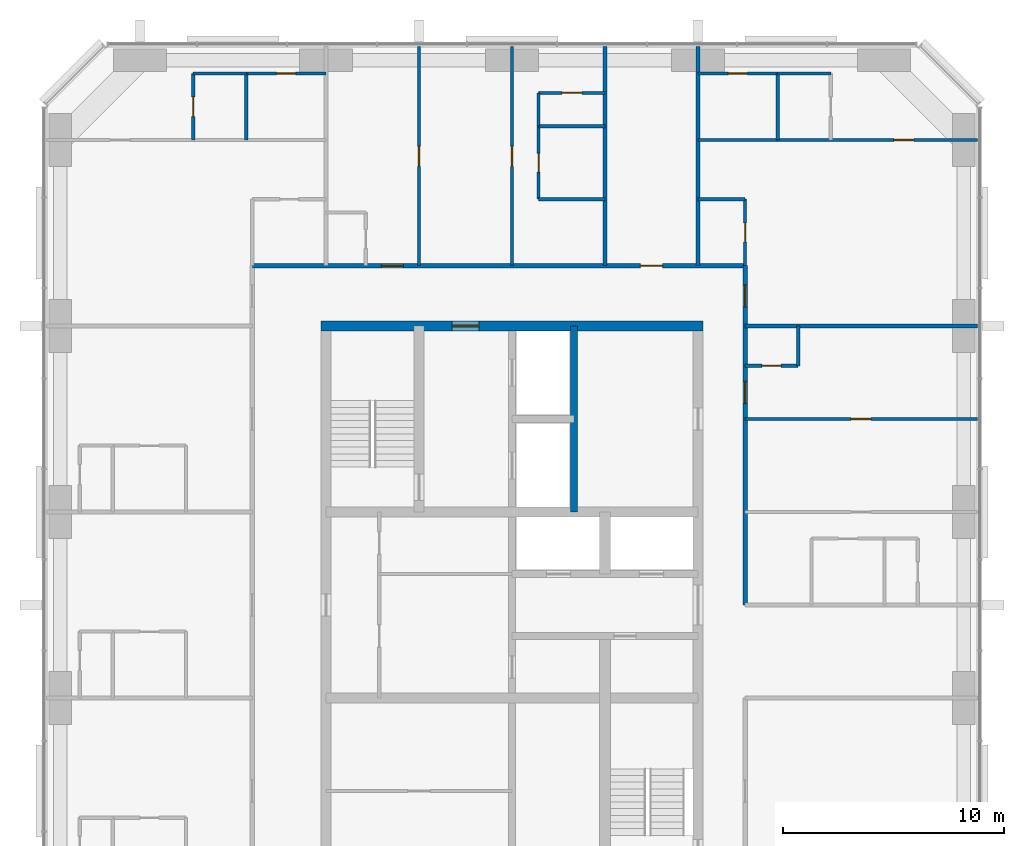
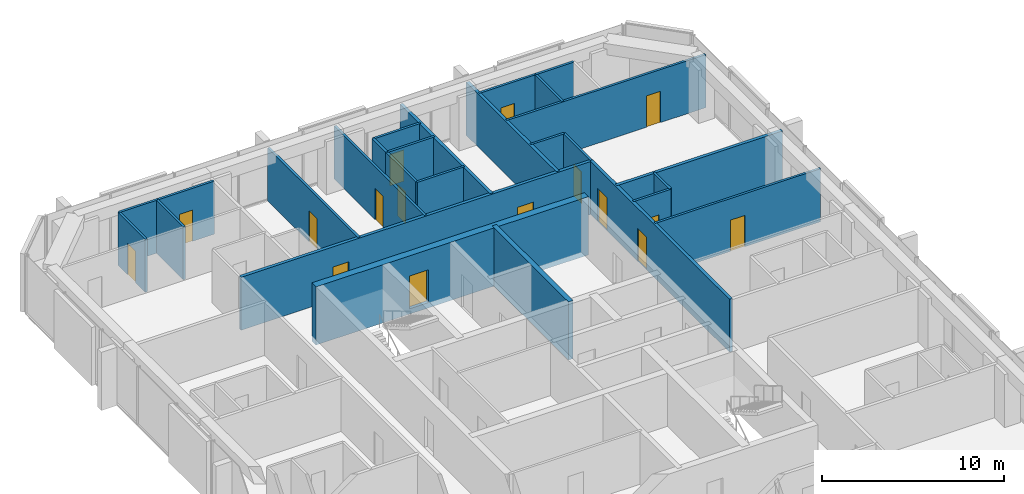
# One storey, part 10 of 12: 27 walls, 16 doors, 16 openings.
"""IFC4 building model written with IfcOpenShell, lengths in metres."""

from ifc_helpers import new_model, si_unit, direction, frame, frame_2d, origin, place, context, subcontext, project, spatial, rectangle, extrude, material, layer, layer_set, type_object, element, fill, save


model = new_model("IFC4")

# Units and contexts
model_context = context("Model", 3, precision=1e-05, world=origin(), true_north=direction((0.0, 1.0)))
body_context = subcontext(model_context, "Body", "Model", "MODEL_VIEW")
ifc_project = project(units=[si_unit("LENGTHUNIT", "METRE"), si_unit("AREAUNIT", "SQUARE_METRE"), si_unit("VOLUMEUNIT", "CUBIC_METRE"), si_unit("PLANEANGLEUNIT", "RADIAN"), si_unit("MASSUNIT", "GRAM", prefix="KILO")], contexts=[model_context])

# Site, building, storey
site_placement = place(None, origin())
site = spatial("IfcSite", under=ifc_project, at=site_placement, CompositionType="ELEMENT")
building_placement = place(site_placement, origin())
building = spatial("IfcBuilding", under=site, at=building_placement, Name="Dunama Terrace Hotel", CompositionType="ELEMENT")
storey_placement = place(building_placement, frame((0.0, 0.0, 249.0)))
storey = spatial("IfcBuildingStorey", under=building, at=storey_placement, Name="L64", CompositionType="ELEMENT", Elevation=249.0)

# Wall, opening, door
ifc_material_1 = material(Name="Gypsum board partition", Category="masonry")
ifc_layer_1 = layer(ifc_material_1, 0.14990234375)
ifc_layer_set_1 = layer_set([ifc_layer_1], Name="Bathroom partition 150")
wall_type_1 = type_object("IfcWallType", Name="Bathroom partition 150", PredefinedType="PARTITIONING", material=ifc_layer_set_1)
wall_1_placement = place(storey_placement, frame((34.800048828125, 47.72509765625, 0.0), z_axis=(0.0, 0.0, 1.0), x_axis=(0.0, 1.0, 0.0)))
wall_1 = element("IfcWall", 1, at=wall_1_placement, inside=storey, type_object=wall_type_1, Name="Bathroom partition 150 L64", PredefinedType="PARTITIONING", context=body_context, shape_type="SweptSolid", body=[
    extrude(rectangle(XDim=3.2998046875, YDim=0.14990234375, at=frame_2d((1.64990234375, 0.0))), origin(), (0.0, 0.0, 1.0), 3.550048828125),
])
opening_1_placement = place(wall_1_placement, frame((1.22509765625, 0.0, 0.0)))
opening_1 = element("IfcOpeningElement", 2, at=opening_1_placement, cuts=wall_1, Name="Opening L62-64-029", PredefinedType="OPENING", context=body_context, shape_type="SweptSolid", body=[
    extrude(rectangle(XDim=0.85009765625, YDim=2.10009765625, at=frame_2d((0.425048828125, 1.050048828125))), frame((0.0, 0.0849609375, 0.0), z_axis=(0.0, -1.0, 0.0), x_axis=(1.0, 0.0, 0.0)), (0.0, 0.0, 1.0), 0.169921875),
])
ifc_material_2 = material(Name="Timber door with steel frame", Category="steel")
door_type_1 = type_object("IfcDoorType", Name="Bathroom door 850", OperationType="SINGLE_SWING_LEFT", PredefinedType="DOOR", material=ifc_material_2)
door_1_placement = place(opening_1_placement, frame((0.85009765625, 0.0, 0.0), z_axis=(0.0, 0.0, 1.0), x_axis=(-1.0, 0.0, 0.0)))
door_1 = element("IfcDoor", 3, at=door_1_placement, inside=storey, type_object=door_type_1, Name="Door to en-suite bathroom L62-64-029, type D2", OperationType="SINGLE_SWING_RIGHT", OverallHeight=2.10009765625, OverallWidth=0.85009765625, PredefinedType="DOOR", context=body_context, shape_type="SweptSolid", body=[
    extrude(rectangle(XDim=0.85009765625, YDim=2.10009765625, at=frame_2d((0.425048828125, 1.050048828125))), frame((0.0, 0.025146484375, 0.0), z_axis=(0.0, -1.0, 0.0), x_axis=(1.0, 0.0, 0.0)), (0.0, 0.0, 1.0), 0.050048828125),
])
fill(opening_1, door_1)

wall_2_placement = place(storey_placement, frame((44.125, 44.72509765625, 0.0), z_axis=(0.0, 0.0, 1.0), x_axis=(0.0, 1.0, 0.0)))
wall_2 = element("IfcWall", 4, at=wall_2_placement, inside=storey, type_object=wall_type_1, Name="Bathroom partition 150 L64", PredefinedType="PARTITIONING", context=body_context, shape_type="SweptSolid", body=[
    extrude(rectangle(XDim=3.0, YDim=0.14990234375, at=frame_2d((1.5, 0.0))), origin(), (0.0, 0.0, 1.0), 3.550048828125),
])
opening_2_placement = place(wall_2_placement, frame((1.074951171875, 0.0, 0.0)))
opening_2 = element("IfcOpeningElement", 5, at=opening_2_placement, cuts=wall_2, Name="Opening L62-64-052", PredefinedType="OPENING", context=body_context, shape_type="SweptSolid", body=[
    extrude(rectangle(XDim=0.85009765625, YDim=2.10009765625, at=frame_2d((0.425048828125, 1.050048828125))), frame((0.0, 0.0849609375, 0.0), z_axis=(0.0, -1.0, 0.0), x_axis=(1.0, 0.0, 0.0)), (0.0, 0.0, 1.0), 0.169921875),
])
door_2_placement = place(opening_2_placement, origin())
door_2 = element("IfcDoor", 6, at=door_2_placement, inside=storey, type_object=door_type_1, Name="Door to powder room L62-64-052, type D2", OperationType="SINGLE_SWING_LEFT", OverallHeight=2.10009765625, OverallWidth=0.85009765625, PredefinedType="DOOR", context=body_context, shape_type="SweptSolid", body=[
    extrude(rectangle(XDim=0.85009765625, YDim=2.10009765625, at=frame_2d((0.425048828125, 1.050048828125))), frame((0.0, 0.02490234375, 0.0), z_axis=(0.0, -1.0, 0.0), x_axis=(1.0, 0.0, 0.0)), (0.0, 0.0, 1.0), 0.050048828125),
])
fill(opening_2, door_2)

# Wall
wall_3_placement = place(storey_placement, frame((46.52490234375, 40.199951171875, 0.0), z_axis=(0.0, 0.0, 1.0), x_axis=(0.0, 1.0, 0.0)))
element("IfcWall", 7, at=wall_3_placement, inside=storey, type_object=wall_type_1, Name="Bathroom partition 150 L64", PredefinedType="PARTITIONING", context=body_context, shape_type="SweptSolid", body=[
    extrude(rectangle(XDim=1.800048828125, YDim=0.14990234375, at=frame_2d((0.89990234375, 0.0))), origin(), (0.0, 0.0, 1.0), 3.550048828125),
])

# Wall, opening, door
wall_4_placement = place(storey_placement, frame((44.125, 40.199951171875, 0.0), z_axis=(0.0, 0.0, 1.0), x_axis=(1.0, 0.0, 0.0)))
wall_4 = element("IfcWall", 8, at=wall_4_placement, inside=storey, type_object=wall_type_1, Name="Bathroom partition 150 L64", PredefinedType="PARTITIONING", context=body_context, shape_type="SweptSolid", body=[
    extrude(rectangle(XDim=2.39990234375, YDim=0.14990234375, at=frame_2d((1.199951171875, 0.0))), origin(), (0.0, 0.0, 1.0), 3.550048828125),
])
opening_3_placement = place(wall_4_placement, frame((0.77490234375, 0.0, 0.0)))
opening_3 = element("IfcOpeningElement", 9, at=opening_3_placement, cuts=wall_4, Name="Opening L62-64-020", PredefinedType="OPENING", context=body_context, shape_type="SweptSolid", body=[
    extrude(rectangle(XDim=0.85009765625, YDim=2.10009765625, at=frame_2d((0.425048828125, 1.050048828125))), frame((0.0, 0.0849609375, 0.0), z_axis=(0.0, -1.0, 0.0), x_axis=(1.0, 0.0, 0.0)), (0.0, 0.0, 1.0), 0.169921875),
])
door_3_placement = place(opening_3_placement, origin())
door_3 = element("IfcDoor", 10, at=door_3_placement, inside=storey, type_object=door_type_1, Name="Door to powder room L62-64-020, type D2", OperationType="SINGLE_SWING_LEFT", OverallHeight=2.10009765625, OverallWidth=0.85009765625, PredefinedType="DOOR", context=body_context, shape_type="SweptSolid", body=[
    extrude(rectangle(XDim=0.85009765625, YDim=2.10009765625, at=frame_2d((0.425048828125, 1.050048828125))), frame((0.0, 0.02490234375, 0.0), z_axis=(0.0, -1.0, 0.0), x_axis=(1.0, 0.0, 0.0)), (0.0, 0.0, 1.0), 0.050048828125),
])
fill(opening_3, door_3)

# Walls
wall_5_placement = place(storey_placement, frame((34.800048828125, 47.72509765625, 0.0), z_axis=(0.0, 0.0, 1.0), x_axis=(1.0, 0.0, 0.0)))
element("IfcWall", 11, at=wall_5_placement, inside=storey, type_object=wall_type_1, Name="Bathroom partition 150 L64", PredefinedType="PARTITIONING", context=body_context, shape_type="SweptSolid", body=[
    extrude(rectangle(XDim=3.0, YDim=0.14990234375, at=frame_2d((1.5, 0.0))), origin(), (0.0, 0.0, 1.0), 3.550048828125),
])
wall_6_placement = place(storey_placement, frame((42.0, 47.72509765625, 0.0), z_axis=(0.0, 0.0, 1.0), x_axis=(1.0, 0.0, 0.0)))
element("IfcWall", 12, at=wall_6_placement, inside=storey, type_object=wall_type_1, Name="Bathroom partition 150 L64", PredefinedType="PARTITIONING", context=body_context, shape_type="SweptSolid", body=[
    extrude(rectangle(XDim=2.125, YDim=0.14990234375, at=frame_2d((1.0625, 0.0))), origin(), (0.0, 0.0, 1.0), 3.550048828125),
])

# Wall, opening, door
wall_7_placement = place(storey_placement, frame((21.60009765625, 53.39990234375, 0.0), z_axis=(0.0, 0.0, 1.0), x_axis=(1.0, 0.0, 0.0)))
wall_7 = element("IfcWall", 13, at=wall_7_placement, inside=storey, type_object=wall_type_1, Name="Bathroom partition 150 L64", PredefinedType="PARTITIONING", context=body_context, shape_type="SweptSolid", body=[
    extrude(rectangle(XDim=3.599853515625, YDim=0.14990234375, at=frame_2d((1.7998046875, 0.0))), origin(), (0.0, 0.0, 1.0), 3.550048828125),
])
opening_4_placement = place(wall_7_placement, frame((1.375, 0.0, 0.0)))
opening_4 = element("IfcOpeningElement", 14, at=opening_4_placement, cuts=wall_7, Name="Opening L62-64-059", PredefinedType="OPENING", context=body_context, shape_type="SweptSolid", body=[
    extrude(rectangle(XDim=0.85009765625, YDim=2.10009765625, at=frame_2d((0.425048828125, 1.050048828125))), frame((0.0, 0.0849609375, 0.0), z_axis=(0.0, -1.0, 0.0), x_axis=(1.0, 0.0, 0.0)), (0.0, 0.0, 1.0), 0.169921875),
])
door_4_placement = place(opening_4_placement, frame((0.85009765625, 0.0, 0.0), z_axis=(0.0, 0.0, 1.0), x_axis=(-1.0, 0.0, 0.0)))
door_4 = element("IfcDoor", 15, at=door_4_placement, inside=storey, type_object=door_type_1, Name="Door to en-suite bathroom L62-64-059, type D2", OperationType="SINGLE_SWING_LEFT", OverallHeight=2.10009765625, OverallWidth=0.85009765625, PredefinedType="DOOR", context=body_context, shape_type="SweptSolid", body=[
    extrude(rectangle(XDim=0.85009765625, YDim=2.10009765625, at=frame_2d((0.425048828125, 1.050048828125))), frame((0.0, 0.025146484375, 0.0), z_axis=(0.0, -1.0, 0.0), x_axis=(1.0, 0.0, 0.0)), (0.0, 0.0, 1.0), 0.050048828125),
])
fill(opening_4, door_4)

wall_8_placement = place(storey_placement, frame((42.0, 53.39990234375, 0.0), z_axis=(0.0, 0.0, 1.0), x_axis=(1.0, 0.0, 0.0)))
wall_8 = element("IfcWall", 16, at=wall_8_placement, inside=storey, type_object=wall_type_1, Name="Bathroom partition 150 L64", PredefinedType="PARTITIONING", context=body_context, shape_type="SweptSolid", body=[
    extrude(rectangle(XDim=3.60009765625, YDim=0.14990234375, at=frame_2d((1.800048828125, 0.0))), origin(), (0.0, 0.0, 1.0), 3.550048828125),
])
opening_5_placement = place(wall_8_placement, frame((1.375, 0.0, 0.0)))
opening_5 = element("IfcOpeningElement", 17, at=opening_5_placement, cuts=wall_8, Name="Opening L62-64-054", PredefinedType="OPENING", context=body_context, shape_type="SweptSolid", body=[
    extrude(rectangle(XDim=0.85009765625, YDim=2.10009765625, at=frame_2d((0.425048828125, 1.050048828125))), frame((0.0, 0.0849609375, 0.0), z_axis=(0.0, -1.0, 0.0), x_axis=(1.0, 0.0, 0.0)), (0.0, 0.0, 1.0), 0.169921875),
])
door_5_placement = place(opening_5_placement, frame((0.85009765625, 0.0, 0.0), z_axis=(0.0, 0.0, 1.0), x_axis=(-1.0, 0.0, 0.0)))
door_5 = element("IfcDoor", 18, at=door_5_placement, inside=storey, type_object=door_type_1, Name="Door to en-suite bathroom L62-64-054, type D2", OperationType="SINGLE_SWING_RIGHT", OverallHeight=2.10009765625, OverallWidth=0.85009765625, PredefinedType="DOOR", context=body_context, shape_type="SweptSolid", body=[
    extrude(rectangle(XDim=0.85009765625, YDim=2.10009765625, at=frame_2d((0.425048828125, 1.050048828125))), frame((0.0, 0.025146484375, 0.0), z_axis=(0.0, -1.0, 0.0), x_axis=(1.0, 0.0, 0.0)), (0.0, 0.0, 1.0), 0.050048828125),
])
fill(opening_5, door_5)

# Wall
ifc_material_3 = material(Name="Concrete C50/60", Category="concrete")
ifc_layer_2 = layer(ifc_material_3, 0.300048828125)
ifc_layer_set_2 = layer_set([ifc_layer_2], Name="Core inner wall 300")
wall_type_2 = type_object("IfcWallType", Name="Core inner wall 300", PredefinedType="SHEAR", material=ifc_layer_set_2)
wall_9_placement = place(storey_placement, frame((36.39990234375, 33.60009765625, -0.35009765625), z_axis=(0.0, 0.0, 1.0), x_axis=(0.0, 1.0, 0.0)))
element("IfcWall", 19, at=wall_9_placement, inside=storey, type_object=wall_type_2, Name="Core inner wall 300 L64", PredefinedType="SHEAR", context=body_context, shape_type="SweptSolid", body=[
    extrude(rectangle(XDim=8.39990234375, YDim=0.300048828125, at=frame_2d((4.199951171875, 0.0))), origin(), (0.0, 0.0, 1.0), 3.900146484375),
])

# Wall, opening, door
ifc_material_4 = material(Name="Concrete C50/60", Category="concrete")
ifc_layer_3 = layer(ifc_material_4, 0.449951171875)
ifc_layer_set_3 = layer_set([ifc_layer_3], Name="Core wall 450")
wall_type_3 = type_object("IfcWallType", Name="Core wall 450", PredefinedType="SHEAR", material=ifc_layer_set_3)
wall_10_placement = place(storey_placement, frame((42.22509765625, 42.0, -0.35009765625), z_axis=(0.0, 0.0, 1.0), x_axis=(-1.0, 0.0, 0.0)))
wall_10 = element("IfcWall", 20, at=wall_10_placement, inside=storey, type_object=wall_type_3, Name="Core wall north L64", PredefinedType="SHEAR", context=body_context, shape_type="SweptSolid", body=[
    extrude(rectangle(XDim=17.25, YDim=0.449951171875, at=frame_2d((8.625, 0.0))), origin(), (0.0, 0.0, 1.0), 3.900146484375),
])
opening_6_placement = place(wall_10_placement, frame((10.125, 0.0, 0.35009765625)))
opening_6 = element("IfcOpeningElement", 21, at=opening_6_placement, cuts=wall_10, Name="Opening L62-64-067", PredefinedType="OPENING", context=body_context, shape_type="SweptSolid", body=[
    extrude(rectangle(XDim=1.199951171875, YDim=2.199951171875, at=frame_2d((0.60009765625, 1.10009765625))), frame((0.0, 0.23486328125, 0.0), z_axis=(0.0, -1.0, 0.0), x_axis=(1.0, 0.0, 0.0)), (0.0, 0.0, 1.0), 0.469970703125),
])
ifc_material_5 = material(Name="Timber door with steel frame", Category="steel")
door_type_2 = type_object("IfcDoorType", Name="Firefighting lobby door 1200", OperationType="SINGLE_SWING_LEFT", PredefinedType="DOOR", material=ifc_material_5)
door_6_placement = place(opening_6_placement, origin())
door_6 = element("IfcDoor", 22, at=door_6_placement, inside=storey, type_object=door_type_2, Name="Door to firefighting lobby L62-64-067, type D4", OperationType="SINGLE_SWING_RIGHT", OverallHeight=2.199951171875, OverallWidth=1.199951171875, PredefinedType="DOOR", context=body_context, shape_type="SweptSolid", body=[
    extrude(rectangle(XDim=1.199951171875, YDim=2.199951171875, at=frame_2d((0.60009765625, 1.10009765625))), frame((0.0, 0.02490234375, 0.0), z_axis=(0.0, -1.0, 0.0), x_axis=(1.0, 0.0, 0.0)), (0.0, 0.0, 1.0), 0.050048828125),
])
fill(opening_6, door_6)

# Wall, openings, doors
ifc_material_6 = material(Name="Concrete blockwork", Category="masonry")
ifc_layer_4 = layer(ifc_material_6, 0.199951171875)
ifc_layer_set_4 = layer_set([ifc_layer_4], Name="Corridor partition 200")
wall_type_4 = type_object("IfcWallType", Name="Corridor partition 200", PredefinedType="PARTITIONING", material=ifc_layer_set_4)
wall_11_placement = place(storey_placement, frame((21.875, 44.72509765625, 0.0), z_axis=(0.0, 0.0, 1.0), x_axis=(1.0, 0.0, 0.0)))
wall_11 = element("IfcWall", 23, at=wall_11_placement, inside=storey, type_object=wall_type_4, Name="Corridor partition 200 L64", PredefinedType="PARTITIONING", context=body_context, shape_type="SweptSolid", body=[
    extrude(rectangle(XDim=22.25, YDim=0.199951171875, at=frame_2d((11.125, 0.0))), origin(), (0.0, 0.0, 1.0), 3.550048828125),
])
opening_7_placement = place(wall_11_placement, frame((5.824951171875, 0.0, 0.0)))
opening_7 = element("IfcOpeningElement", 24, at=opening_7_placement, cuts=wall_11, Name="Opening L62-64-025", PredefinedType="OPENING", context=body_context, shape_type="SweptSolid", body=[
    extrude(rectangle(XDim=1.0, YDim=2.199951171875, at=frame_2d((0.5, 1.10009765625))), frame((0.0, 0.10986328125, 0.0), z_axis=(0.0, -1.0, 0.0), x_axis=(1.0, 0.0, 0.0)), (0.0, 0.0, 1.0), 0.219970703125),
])
opening_8_placement = place(wall_11_placement, frame((17.52490234375, 0.0, 0.0)))
opening_8 = element("IfcOpeningElement", 25, at=opening_8_placement, cuts=wall_11, Name="Opening L62-64-031", PredefinedType="OPENING", context=body_context, shape_type="SweptSolid", body=[
    extrude(rectangle(XDim=1.0, YDim=2.10009765625, at=frame_2d((0.5, 1.050048828125))), frame((0.0, 0.10986328125, 0.0), z_axis=(0.0, -1.0, 0.0), x_axis=(1.0, 0.0, 0.0)), (0.0, 0.0, 1.0), 0.219970703125),
])
ifc_material_7 = material(Name="Timber door with steel frame", Category="steel")
door_type_3 = type_object("IfcDoorType", Name="Guest room door 1000", OperationType="SINGLE_SWING_LEFT", PredefinedType="DOOR", material=ifc_material_7)
door_7_placement = place(opening_7_placement, origin())
door_7 = element("IfcDoor", 26, at=door_7_placement, inside=storey, type_object=door_type_3, Name="Door to ambassador suite living room L62-64-025, type D1", OperationType="SINGLE_SWING_LEFT", OverallHeight=2.199951171875, OverallWidth=1.0, PredefinedType="DOOR", context=body_context, shape_type="SweptSolid", body=[
    extrude(rectangle(XDim=1.0, YDim=2.199951171875, at=frame_2d((0.5, 1.10009765625))), frame((0.0, 0.02490234375, 0.0), z_axis=(0.0, -1.0, 0.0), x_axis=(1.0, 0.0, 0.0)), (0.0, 0.0, 1.0), 0.050048828125),
])
fill(opening_7, door_7)
ifc_material_8 = material(Name="Timber door with steel frame", Category="steel")
door_type_4 = type_object("IfcDoorType", Name="Service door 1000", OperationType="SINGLE_SWING_LEFT", PredefinedType="DOOR", material=ifc_material_8)
door_8_placement = place(opening_8_placement, origin())
door_8 = element("IfcDoor", 27, at=door_8_placement, inside=storey, type_object=door_type_4, Name="Door to butler pantry L62-64-031, type D7", OperationType="SINGLE_SWING_LEFT", OverallHeight=2.10009765625, OverallWidth=1.0, PredefinedType="DOOR", context=body_context, shape_type="SweptSolid", body=[
    extrude(rectangle(XDim=1.0, YDim=2.10009765625, at=frame_2d((0.5, 1.050048828125))), frame((0.0, 0.02490234375, 0.0), z_axis=(0.0, -1.0, 0.0), x_axis=(1.0, 0.0, 0.0)), (0.0, 0.0, 1.0), 0.050048828125),
])
fill(opening_8, door_8)

wall_12_placement = place(storey_placement, frame((44.125, 44.72509765625, 0.0), z_axis=(0.0, 0.0, 1.0), x_axis=(0.0, -1.0, 0.0)))
wall_12 = element("IfcWall", 28, at=wall_12_placement, inside=storey, type_object=wall_type_4, Name="Corridor partition 200 L64", PredefinedType="PARTITIONING", context=body_context, shape_type="SweptSolid", body=[
    extrude(rectangle(XDim=15.3251953125, YDim=0.199951171875, at=frame_2d((7.66259765625, 0.0))), origin(), (0.0, 0.0, 1.0), 3.550048828125),
])
opening_9_placement = place(wall_12_placement, frame((5.22509765625, 0.0, 0.0)))
opening_9 = element("IfcOpeningElement", 29, at=opening_9_placement, cuts=wall_12, Name="Opening L62-64-019", PredefinedType="OPENING", context=body_context, shape_type="SweptSolid", body=[
    extrude(rectangle(XDim=1.0, YDim=2.199951171875, at=frame_2d((0.5, 1.10009765625))), frame((0.0, 0.10986328125, 0.0), z_axis=(0.0, -1.0, 0.0), x_axis=(1.0, 0.0, 0.0)), (0.0, 0.0, 1.0), 0.219970703125),
])
opening_10_placement = place(wall_12_placement, frame((0.863037109375, 0.0, 0.0)))
opening_10 = element("IfcOpeningElement", 30, at=opening_10_placement, cuts=wall_12, Name="Opening L62-64-051", PredefinedType="OPENING", context=body_context, shape_type="SweptSolid", body=[
    extrude(rectangle(XDim=1.0, YDim=2.199951171875, at=frame_2d((0.5, 1.10009765625))), frame((0.0, 0.10986328125, 0.0), z_axis=(0.0, -1.0, 0.0), x_axis=(1.0, 0.0, 0.0)), (0.0, 0.0, 1.0), 0.219970703125),
])
door_9_placement = place(opening_9_placement, origin())
door_9 = element("IfcDoor", 31, at=door_9_placement, inside=storey, type_object=door_type_3, Name="Door to ambassador suite living room L62-64-019, type D1", OperationType="SINGLE_SWING_LEFT", OverallHeight=2.199951171875, OverallWidth=1.0, PredefinedType="DOOR", context=body_context, shape_type="SweptSolid", body=[
    extrude(rectangle(XDim=1.0, YDim=2.199951171875, at=frame_2d((0.5, 1.10009765625))), frame((0.0, 0.02490234375, 0.0), z_axis=(0.0, -1.0, 0.0), x_axis=(1.0, 0.0, 0.0)), (0.0, 0.0, 1.0), 0.050048828125),
])
fill(opening_9, door_9)
door_10_placement = place(opening_10_placement, origin())
door_10 = element("IfcDoor", 32, at=door_10_placement, inside=storey, type_object=door_type_3, Name="Door to grand corner suite living room L62-64-051, type D1", OperationType="SINGLE_SWING_RIGHT", OverallHeight=2.199951171875, OverallWidth=1.0, PredefinedType="DOOR", context=body_context, shape_type="SweptSolid", body=[
    extrude(rectangle(XDim=1.0, YDim=2.199951171875, at=frame_2d((0.5, 1.10009765625))), frame((0.0, 0.02490234375, 0.0), z_axis=(0.0, -1.0, 0.0), x_axis=(1.0, 0.0, 0.0)), (0.0, 0.0, 1.0), 0.050048828125),
])
fill(opening_10, door_10)

# Walls
ifc_material_9 = material(Name="Concrete blockwork", Category="masonry")
ifc_layer_5 = layer(ifc_material_9, 0.199951171875)
ifc_layer_set_5 = layer_set([ifc_layer_5], Name="Party wall 200")
wall_type_5 = type_object("IfcWallType", Name="Party wall 200", PredefinedType="PARTITIONING", material=ifc_layer_set_5)
for number, where, z_axis, x_axis, name in (
    (33, (37.800048828125, 44.72509765625, 0.0), (0.0, 0.0, 1.0), (0.0, 1.0, 0.0), "Party wall 200 L64"),
    (34, (42.0, 44.72509765625, 0.0), (0.0, 0.0, 1.0), (0.0, 1.0, 0.0), "Party wall 200 L64"),
):
    element("IfcWall", number, at=place(storey_placement, frame(where, z_axis=z_axis, x_axis=x_axis)), inside=storey, type_object=wall_type_5, Name=name, PredefinedType="PARTITIONING", context=body_context, shape_type="SweptSolid", body=[
        extrude(rectangle(XDim=9.892822265625, YDim=0.199951171875, at=frame_2d((4.9462890625, 0.0))), origin(), (0.0, 0.0, 1.0), 3.550048828125),
    ])
wall_13_placement = place(storey_placement, frame((44.125, 42.0, 0.0), z_axis=(0.0, 0.0, 1.0), x_axis=(1.0, 0.0, 0.0)))
element("IfcWall", 35, at=wall_13_placement, inside=storey, type_object=wall_type_5, Name="Party wall 200 L64", PredefinedType="PARTITIONING", context=body_context, shape_type="SweptSolid", body=[
    extrude(rectangle(XDim=10.492919921875, YDim=0.199951171875, at=frame_2d((5.24658203125, 0.0))), origin(), (0.0, 0.0, 1.0), 3.550048828125),
])

# Wall, opening, door
ifc_material_10 = material(Name="Gypsum board partition", Category="masonry")
ifc_layer_6 = layer(ifc_material_10, 0.14990234375)
ifc_layer_set_6 = layer_set([ifc_layer_6], Name="Room partition 150")
wall_type_6 = type_object("IfcWallType", Name="Room partition 150", PredefinedType="PARTITIONING", material=ifc_layer_set_6)
wall_14_placement = place(storey_placement, frame((19.199951171875, 50.39990234375, 0.0), z_axis=(0.0, 0.0, 1.0), x_axis=(0.0, 1.0, 0.0)))
wall_14 = element("IfcWall", 36, at=wall_14_placement, inside=storey, type_object=wall_type_6, Name="Room partition 150 L64", PredefinedType="PARTITIONING", context=body_context, shape_type="SweptSolid", body=[
    extrude(rectangle(XDim=3.0, YDim=0.14990234375, at=frame_2d((1.5, 0.0))), origin(), (0.0, 0.0, 1.0), 3.550048828125),
])
opening_11_placement = place(wall_14_placement, frame((1.050048828125, 0.0, 0.0)))
opening_11 = element("IfcOpeningElement", 37, at=opening_11_placement, cuts=wall_14, Name="Opening L62-64-060", PredefinedType="OPENING", context=body_context, shape_type="SweptSolid", body=[
    extrude(rectangle(XDim=0.89990234375, YDim=2.10009765625, at=frame_2d((0.449951171875, 1.050048828125))), frame((0.0, 0.0849609375, 0.0), z_axis=(0.0, -1.0, 0.0), x_axis=(1.0, 0.0, 0.0)), (0.0, 0.0, 1.0), 0.169921875),
])
ifc_material_11 = material(Name="Timber door with steel frame", Category="steel")
door_type_5 = type_object("IfcDoorType", Name="Suite internal door 900", OperationType="SINGLE_SWING_LEFT", PredefinedType="DOOR", material=ifc_material_11)
door_11_placement = place(opening_11_placement, frame((0.89990234375, 0.0, 0.0), z_axis=(0.0, 0.0, 1.0), x_axis=(-1.0, 0.0, 0.0)))
door_11 = element("IfcDoor", 38, at=door_11_placement, inside=storey, type_object=door_type_5, Name="Door to dressing room L62-64-060, type D16", OperationType="SINGLE_SWING_RIGHT", OverallHeight=2.10009765625, OverallWidth=0.89990234375, PredefinedType="DOOR", context=body_context, shape_type="SweptSolid", body=[
    extrude(rectangle(XDim=0.89990234375, YDim=2.10009765625, at=frame_2d((0.449951171875, 1.050048828125))), frame((0.0, 0.025146484375, 0.0), z_axis=(0.0, -1.0, 0.0), x_axis=(1.0, 0.0, 0.0)), (0.0, 0.0, 1.0), 0.050048828125),
])
fill(opening_11, door_11)

# Wall
wall_15_placement = place(storey_placement, frame((21.60009765625, 50.39990234375, 0.0), z_axis=(0.0, 0.0, 1.0), x_axis=(0.0, 1.0, 0.0)))
element("IfcWall", 39, at=wall_15_placement, inside=storey, type_object=wall_type_6, Name="Room partition 150 L64", PredefinedType="PARTITIONING", context=body_context, shape_type="SweptSolid", body=[
    extrude(rectangle(XDim=3.0, YDim=0.14990234375, at=frame_2d((1.5, 0.0))), origin(), (0.0, 0.0, 1.0), 3.550048828125),
])

# Wall, opening, door
wall_16_placement = place(storey_placement, frame((29.39990234375, 44.72509765625, 0.0), z_axis=(0.0, 0.0, 1.0), x_axis=(0.0, 1.0, 0.0)))
wall_16 = element("IfcWall", 40, at=wall_16_placement, inside=storey, type_object=wall_type_6, Name="Room partition 150 L64", PredefinedType="PARTITIONING", context=body_context, shape_type="SweptSolid", body=[
    extrude(rectangle(XDim=9.892822265625, YDim=0.14990234375, at=frame_2d((4.9462890625, 0.0))), origin(), (0.0, 0.0, 1.0), 3.550048828125),
])
opening_12_placement = place(wall_16_placement, frame((4.487060546875, 0.0, 0.0)))
opening_12 = element("IfcOpeningElement", 41, at=opening_12_placement, cuts=wall_16, Name="Opening L62-64-027", PredefinedType="OPENING", context=body_context, shape_type="SweptSolid", body=[
    extrude(rectangle(XDim=0.89990234375, YDim=2.10009765625, at=frame_2d((0.449951171875, 1.050048828125))), frame((0.0, 0.0849609375, 0.0), z_axis=(0.0, -1.0, 0.0), x_axis=(1.0, 0.0, 0.0)), (0.0, 0.0, 1.0), 0.169921875),
])
door_12_placement = place(opening_12_placement, origin())
door_12 = element("IfcDoor", 42, at=door_12_placement, inside=storey, type_object=door_type_5, Name="Door to ambassador suite study L62-64-027, type D16", OperationType="SINGLE_SWING_LEFT", OverallHeight=2.10009765625, OverallWidth=0.89990234375, PredefinedType="DOOR", context=body_context, shape_type="SweptSolid", body=[
    extrude(rectangle(XDim=0.89990234375, YDim=2.10009765625, at=frame_2d((0.449951171875, 1.050048828125))), frame((0.0, 0.02490234375, 0.0), z_axis=(0.0, -1.0, 0.0), x_axis=(1.0, 0.0, 0.0)), (0.0, 0.0, 1.0), 0.050048828125),
])
fill(opening_12, door_12)

wall_17_placement = place(storey_placement, frame((33.60009765625, 44.72509765625, 0.0), z_axis=(0.0, 0.0, 1.0), x_axis=(0.0, 1.0, 0.0)))
wall_17 = element("IfcWall", 43, at=wall_17_placement, inside=storey, type_object=wall_type_6, Name="Room partition 150 L64", PredefinedType="PARTITIONING", context=body_context, shape_type="SweptSolid", body=[
    extrude(rectangle(XDim=9.892822265625, YDim=0.14990234375, at=frame_2d((4.9462890625, 0.0))), origin(), (0.0, 0.0, 1.0), 3.550048828125),
])
opening_13_placement = place(wall_17_placement, frame((4.487060546875, 0.0, 0.0)))
opening_13 = element("IfcOpeningElement", 44, at=opening_13_placement, cuts=wall_17, Name="Opening L62-64-028", PredefinedType="OPENING", context=body_context, shape_type="SweptSolid", body=[
    extrude(rectangle(XDim=0.89990234375, YDim=2.10009765625, at=frame_2d((0.449951171875, 1.050048828125))), frame((0.0, 0.0849609375, 0.0), z_axis=(0.0, -1.0, 0.0), x_axis=(1.0, 0.0, 0.0)), (0.0, 0.0, 1.0), 0.169921875),
])
door_13_placement = place(opening_13_placement, frame((0.89990234375, 0.0, 0.0), z_axis=(0.0, 0.0, 1.0), x_axis=(-1.0, 0.0, 0.0)))
door_13 = element("IfcDoor", 45, at=door_13_placement, inside=storey, type_object=door_type_5, Name="Door to ambassador suite bedroom L62-64-028, type D16", OperationType="SINGLE_SWING_RIGHT", OverallHeight=2.10009765625, OverallWidth=0.89990234375, PredefinedType="DOOR", context=body_context, shape_type="SweptSolid", body=[
    extrude(rectangle(XDim=0.89990234375, YDim=2.10009765625, at=frame_2d((0.449951171875, 1.050048828125))), frame((0.0, 0.025146484375, 0.0), z_axis=(0.0, -1.0, 0.0), x_axis=(1.0, 0.0, 0.0)), (0.0, 0.0, 1.0), 0.050048828125),
])
fill(opening_13, door_13)

# Walls
wall_18_placement = place(storey_placement, frame((34.800048828125, 51.02490234375, 0.0), z_axis=(0.0, 0.0, 1.0), x_axis=(0.0, 1.0, 0.0)))
element("IfcWall", 46, at=wall_18_placement, inside=storey, type_object=wall_type_6, Name="Room partition 150 L64", PredefinedType="PARTITIONING", context=body_context, shape_type="SweptSolid", body=[
    extrude(rectangle(XDim=1.5, YDim=0.14990234375, at=frame_2d((0.75, 0.0))), origin(), (0.0, 0.0, 1.0), 3.550048828125),
])
wall_19_placement = place(storey_placement, frame((45.60009765625, 50.39990234375, 0.0), z_axis=(0.0, 0.0, 1.0), x_axis=(0.0, 1.0, 0.0)))
element("IfcWall", 47, at=wall_19_placement, inside=storey, type_object=wall_type_6, Name="Room partition 150 L64", PredefinedType="PARTITIONING", context=body_context, shape_type="SweptSolid", body=[
    extrude(rectangle(XDim=3.0, YDim=0.14990234375, at=frame_2d((1.5, 0.0))), origin(), (0.0, 0.0, 1.0), 3.550048828125),
])

# Wall, opening, door
wall_20_placement = place(storey_placement, frame((44.125, 37.800048828125, 0.0), z_axis=(0.0, 0.0, 1.0), x_axis=(1.0, 0.0, 0.0)))
wall_20 = element("IfcWall", 48, at=wall_20_placement, inside=storey, type_object=wall_type_6, Name="Room partition 150 L64", PredefinedType="PARTITIONING", context=body_context, shape_type="SweptSolid", body=[
    extrude(rectangle(XDim=10.492919921875, YDim=0.14990234375, at=frame_2d((5.24658203125, 0.0))), origin(), (0.0, 0.0, 1.0), 3.550048828125),
])
opening_14_placement = place(wall_20_placement, frame((4.787109375, 0.0, 0.0)))
opening_14 = element("IfcOpeningElement", 49, at=opening_14_placement, cuts=wall_20, Name="Opening L62-64-021", PredefinedType="OPENING", context=body_context, shape_type="SweptSolid", body=[
    extrude(rectangle(XDim=0.89990234375, YDim=2.10009765625, at=frame_2d((0.449951171875, 1.050048828125))), frame((0.0, 0.0849609375, 0.0), z_axis=(0.0, -1.0, 0.0), x_axis=(1.0, 0.0, 0.0)), (0.0, 0.0, 1.0), 0.169921875),
])
door_14_placement = place(opening_14_placement, origin())
door_14 = element("IfcDoor", 50, at=door_14_placement, inside=storey, type_object=door_type_5, Name="Door to ambassador suite study L62-64-021, type D16", OperationType="SINGLE_SWING_LEFT", OverallHeight=2.10009765625, OverallWidth=0.89990234375, PredefinedType="DOOR", context=body_context, shape_type="SweptSolid", body=[
    extrude(rectangle(XDim=0.89990234375, YDim=2.10009765625, at=frame_2d((0.449951171875, 1.050048828125))), frame((0.0, 0.02490234375, 0.0), z_axis=(0.0, -1.0, 0.0), x_axis=(1.0, 0.0, 0.0)), (0.0, 0.0, 1.0), 0.050048828125),
])
fill(opening_14, door_14)

wall_21_placement = place(storey_placement, frame((42.0, 50.39990234375, 0.0), z_axis=(0.0, 0.0, 1.0), x_axis=(1.0, 0.0, 0.0)))
wall_21 = element("IfcWall", 51, at=wall_21_placement, inside=storey, type_object=wall_type_6, Name="Room partition 150 L64", PredefinedType="PARTITIONING", context=body_context, shape_type="SweptSolid", body=[
    extrude(rectangle(XDim=12.617919921875, YDim=0.14990234375, at=frame_2d((6.30908203125, 0.0))), origin(), (0.0, 0.0, 1.0), 3.550048828125),
])
opening_15_placement = place(wall_21_placement, frame((8.85009765625, 0.0, 0.0)))
opening_15 = element("IfcOpeningElement", 52, at=opening_15_placement, cuts=wall_21, Name="Opening L62-64-053", PredefinedType="OPENING", context=body_context, shape_type="SweptSolid", body=[
    extrude(rectangle(XDim=0.89990234375, YDim=2.10009765625, at=frame_2d((0.449951171875, 1.050048828125))), frame((0.0, 0.0849609375, 0.0), z_axis=(0.0, -1.0, 0.0), x_axis=(1.0, 0.0, 0.0)), (0.0, 0.0, 1.0), 0.169921875),
])
door_15_placement = place(opening_15_placement, origin())
door_15 = element("IfcDoor", 53, at=door_15_placement, inside=storey, type_object=door_type_5, Name="Door to grand corner suite bedroom L62-64-053, type D16", OperationType="SINGLE_SWING_RIGHT", OverallHeight=2.10009765625, OverallWidth=0.89990234375, PredefinedType="DOOR", context=body_context, shape_type="SweptSolid", body=[
    extrude(rectangle(XDim=0.89990234375, YDim=2.10009765625, at=frame_2d((0.449951171875, 1.050048828125))), frame((0.0, 0.02490234375, 0.0), z_axis=(0.0, -1.0, 0.0), x_axis=(1.0, 0.0, 0.0)), (0.0, 0.0, 1.0), 0.050048828125),
])
fill(opening_15, door_15)

# Wall
wall_22_placement = place(storey_placement, frame((34.800048828125, 51.02490234375, 0.0), z_axis=(0.0, 0.0, 1.0), x_axis=(1.0, 0.0, 0.0)))
element("IfcWall", 54, at=wall_22_placement, inside=storey, type_object=wall_type_6, Name="Room partition 150 L64", PredefinedType="PARTITIONING", context=body_context, shape_type="SweptSolid", body=[
    extrude(rectangle(XDim=3.0, YDim=0.14990234375, at=frame_2d((1.5, 0.0))), origin(), (0.0, 0.0, 1.0), 3.550048828125),
])

# Wall, opening, door
wall_23_placement = place(storey_placement, frame((34.800048828125, 52.52490234375, 0.0), z_axis=(0.0, 0.0, 1.0), x_axis=(1.0, 0.0, 0.0)))
wall_23 = element("IfcWall", 55, at=wall_23_placement, inside=storey, type_object=wall_type_6, Name="Room partition 150 L64", PredefinedType="PARTITIONING", context=body_context, shape_type="SweptSolid", body=[
    extrude(rectangle(XDim=3.0, YDim=0.14990234375, at=frame_2d((1.5, 0.0))), origin(), (0.0, 0.0, 1.0), 3.550048828125),
])
opening_16_placement = place(wall_23_placement, frame((1.050048828125, 0.0, 0.0)))
opening_16 = element("IfcOpeningElement", 56, at=opening_16_placement, cuts=wall_23, Name="Opening L62-64-030", PredefinedType="OPENING", context=body_context, shape_type="SweptSolid", body=[
    extrude(rectangle(XDim=0.89990234375, YDim=2.10009765625, at=frame_2d((0.449951171875, 1.050048828125))), frame((0.0, 0.0849609375, 0.0), z_axis=(0.0, -1.0, 0.0), x_axis=(1.0, 0.0, 0.0)), (0.0, 0.0, 1.0), 0.169921875),
])
door_16_placement = place(opening_16_placement, frame((0.89990234375, 0.0, 0.0), z_axis=(0.0, 0.0, 1.0), x_axis=(-1.0, 0.0, 0.0)))
door_16 = element("IfcDoor", 57, at=door_16_placement, inside=storey, type_object=door_type_5, Name="Door to walk-in wardrobe L62-64-030, type D16", OperationType="SINGLE_SWING_RIGHT", OverallHeight=2.10009765625, OverallWidth=0.89990234375, PredefinedType="DOOR", context=body_context, shape_type="SweptSolid", body=[
    extrude(rectangle(XDim=0.89990234375, YDim=2.10009765625, at=frame_2d((0.449951171875, 1.050048828125))), frame((0.0, 0.025146484375, 0.0), z_axis=(0.0, -1.0, 0.0), x_axis=(1.0, 0.0, 0.0)), (0.0, 0.0, 1.0), 0.050048828125),
])
fill(opening_16, door_16)

# Walls
wall_24_placement = place(storey_placement, frame((19.199951171875, 53.39990234375, 0.0), z_axis=(0.0, 0.0, 1.0), x_axis=(1.0, 0.0, 0.0)))
element("IfcWall", 58, at=wall_24_placement, inside=storey, type_object=wall_type_6, Name="Room partition 150 L64", PredefinedType="PARTITIONING", context=body_context, shape_type="SweptSolid", body=[
    extrude(rectangle(XDim=2.400146484375, YDim=0.14990234375, at=frame_2d((1.2001953125, 0.0))), origin(), (0.0, 0.0, 1.0), 3.550048828125),
])
wall_25_placement = place(storey_placement, frame((45.60009765625, 53.39990234375, 0.0), z_axis=(0.0, 0.0, 1.0), x_axis=(1.0, 0.0, 0.0)))
element("IfcWall", 59, at=wall_25_placement, inside=storey, type_object=wall_type_6, Name="Room partition 150 L64", PredefinedType="PARTITIONING", context=body_context, shape_type="SweptSolid", body=[
    extrude(rectangle(XDim=2.39990234375, YDim=0.14990234375, at=frame_2d((1.199951171875, 0.0))), origin(), (0.0, 0.0, 1.0), 3.550048828125),
])

save(model, "model.ifc")
